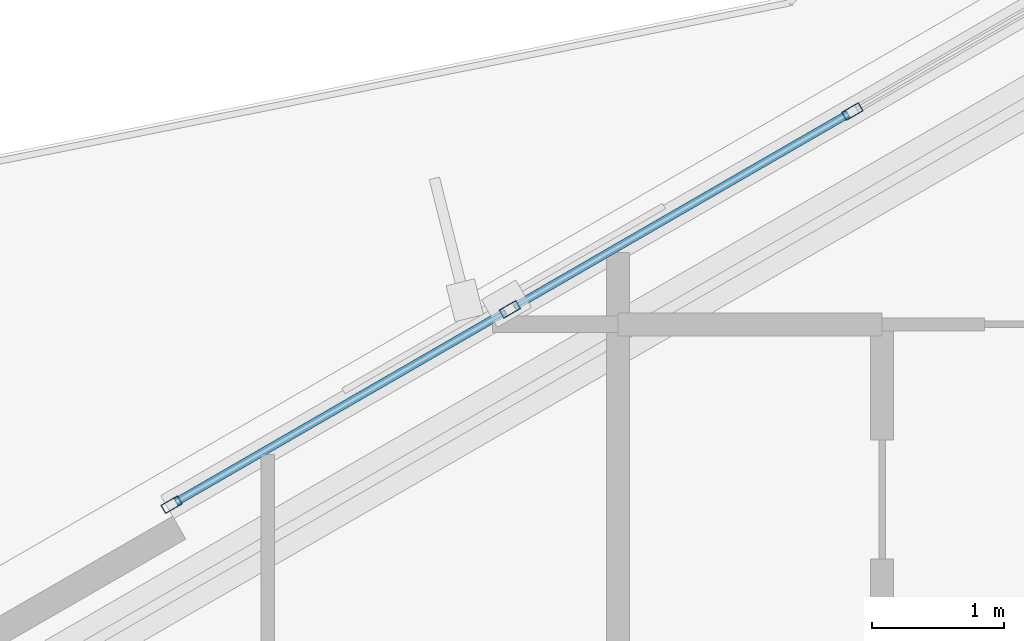
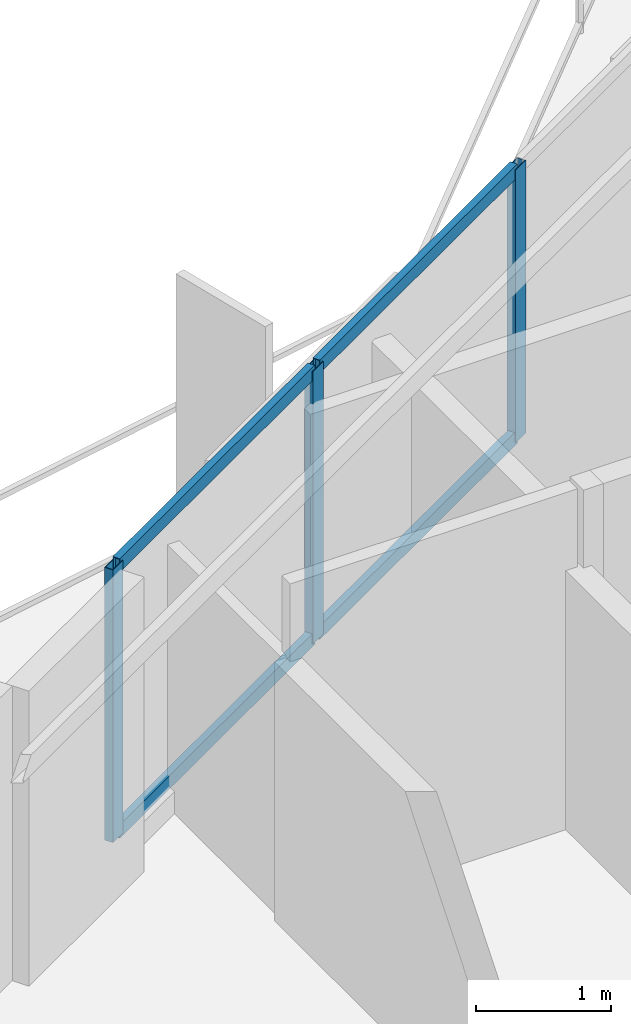
# One storey, part 7 of 19: 7 members, 1 element without a shape of its own.
"""IFC4 building model written with IfcOpenShell, lengths in metres."""

from ifc_helpers import new_model, si_unit, direction, frame, origin, origin_2d, place, context, subcontext, project, spatial, hollow_rectangle, extrude, material, layer, layer_set, material_profile, profile_set, type_object, element, aggregate, save


model = new_model("IFC4")

# Units and contexts
model_context = context("Model", 3, precision=1e-05, world=origin(), true_north=direction((0.0, 1.0)))
body_context = subcontext(model_context, "Body", "Model", "MODEL_VIEW")
ifc_project = project(units=[si_unit("LENGTHUNIT", "METRE"), si_unit("AREAUNIT", "SQUARE_METRE"), si_unit("VOLUMEUNIT", "CUBIC_METRE"), si_unit("PLANEANGLEUNIT", "RADIAN"), si_unit("MASSUNIT", "GRAM", prefix="KILO")], contexts=[model_context])

# Site, building, storey
site_placement = place(None, origin())
site = spatial("IfcSite", under=ifc_project, at=site_placement, CompositionType="ELEMENT")
building_placement = place(site_placement, origin())
building = spatial("IfcBuilding", under=site, at=building_placement, Name="Mersakhor Tower and Convention Hall", CompositionType="ELEMENT")
storey_placement = place(building_placement, frame((0.0, 0.0, 45.60009765625)))
storey = spatial("IfcBuildingStorey", under=building, at=storey_placement, Name="L12", CompositionType="ELEMENT", Elevation=45.60009765625)

# Curtain wall, members
ifc_material_1 = material(Name="Dark solar low-E aluminium curtain wall", Category="aluminium")
ifc_layer = layer(ifc_material_1, 0.159912109375)
ifc_layer_set = layer_set([ifc_layer], Name="Dark solar low-E aluminium curtain wall")
curtain_wall_type = type_object("IfcCurtainWallType", Name="CW-SYS-01", PredefinedType="USERDEFINED", material=ifc_layer_set)
curtain_wall_placement = place(storey_placement, origin())
curtain_wall = element("IfcCurtainWall", 1, at=curtain_wall_placement, inside=storey, type_object=curtain_wall_type, Name="L12 Dark-Glass Curtain Wall F1-B2", ObjectType="CURTAIN WALL", PredefinedType="USERDEFINED")
ifc_material_2 = material(Name="Anodised aluminium EN AW-6063 T6", Category="aluminium")
ifc_material_profile_1 = material_profile(ifc_material_2, hollow_rectangle(XDim=0.074951171875, YDim=0.14990234375, WallThickness=0.00634765625, at=origin_2d()), Name="RHS 150x75x6.3")
ifc_profile_set_1 = profile_set([ifc_material_profile_1], Name="Anodised aluminium EN AW-6063 T6")
member_type_1 = type_object("IfcMemberType", Name="CWM-150x75", PredefinedType="MULLION", material=ifc_profile_set_1)
member_1_placement = place(storey_placement, frame((16.423095703125, 36.635986328125, 0.199951171875), z_axis=(0.0, 0.0, 1.0), x_axis=(-0.50000344889, 0.866023412558, 0.0)))
member_1 = element("IfcMember", 2, at=member_1_placement, type_object=member_type_1, Name="CW-01 mullion 1", PredefinedType="MULLION", context=body_context, shape_type="SweptSolid", body=[
    extrude(hollow_rectangle(XDim=0.074951171875, YDim=0.14990234375, WallThickness=0.00634765625, at=origin_2d()), origin(), (0.0, 0.0, 1.0), 2.4599609375),
])
member_2_placement = place(storey_placement, frame((18.982666015625, 38.11376953125, 0.199951171875), z_axis=(0.0, 0.0, 1.0), x_axis=(-0.50000344889, 0.866023412558, 0.0)))
member_2 = element("IfcMember", 3, at=member_2_placement, type_object=member_type_1, Name="CW-01 mullion 2", PredefinedType="MULLION", context=body_context, shape_type="SweptSolid", body=[
    extrude(hollow_rectangle(XDim=0.074951171875, YDim=0.14990234375, WallThickness=0.00634765625, at=origin_2d()), origin(), (0.0, 0.0, 1.0), 2.4599609375),
])
member_3_placement = place(storey_placement, frame((21.574951171875, 39.610595703125, 0.199951171875), z_axis=(0.0, 0.0, 1.0), x_axis=(-0.50000344889, 0.866023412558, 0.0)))
member_3 = element("IfcMember", 4, at=member_3_placement, type_object=member_type_1, Name="CW-01 mullion 3", PredefinedType="MULLION", context=body_context, shape_type="SweptSolid", body=[
    extrude(hollow_rectangle(XDim=0.074951171875, YDim=0.14990234375, WallThickness=0.00634765625, at=origin_2d()), origin(), (0.0, 0.0, 1.0), 2.4599609375),
])
ifc_material_3 = material(Name="Anodised aluminium EN AW-6063 T6", Category="aluminium")
ifc_material_profile_2 = material_profile(ifc_material_3, hollow_rectangle(XDim=0.06005859375, YDim=0.1201171875, WallThickness=0.0048828125, at=origin_2d()), Name="RHS 120x60x5")
ifc_profile_set_2 = profile_set([ifc_material_profile_2], Name="Anodised aluminium EN AW-6063 T6")
member_type_2 = type_object("IfcMemberType", Name="CWT-120x60", PredefinedType="USERDEFINED", material=ifc_profile_set_2)
member_4_placement = place(storey_placement, frame((16.45556640625, 36.65478515625, 0.22998046875), z_axis=(0.866002100865, 0.500040359669, 0.0), x_axis=(-0.500040359669, 0.866002100865, 0.0)))
member_4 = element("IfcMember", 5, at=member_4_placement, type_object=member_type_2, Name="CW-01 transom 1.1", ObjectType="TRANSOM", PredefinedType="USERDEFINED", context=body_context, shape_type="SweptSolid", body=[
    extrude(hollow_rectangle(XDim=0.06005859375, YDim=0.1201171875, WallThickness=0.0048828125, at=origin_2d()), origin(), (0.0, 0.0, 1.0), 2.880615234375),
])
member_5_placement = place(storey_placement, frame((16.45556640625, 36.65478515625, 2.6298828125), z_axis=(0.866002100865, 0.500040359669, 0.0), x_axis=(-0.500040359669, 0.866002100865, 0.0)))
member_5 = element("IfcMember", 6, at=member_5_placement, type_object=member_type_2, Name="CW-01 transom 1.2", ObjectType="TRANSOM", PredefinedType="USERDEFINED", context=body_context, shape_type="SweptSolid", body=[
    extrude(hollow_rectangle(XDim=0.06005859375, YDim=0.1201171875, WallThickness=0.0048828125, at=origin_2d()), origin(), (0.0, 0.0, 1.0), 2.880615234375),
])
member_6_placement = place(storey_placement, frame((19.01513671875, 38.132568359375, 0.22998046875), z_axis=(0.866015622527, 0.500016941252, 0.0), x_axis=(-0.500016941252, 0.866015622527, 0.0)))
member_6 = element("IfcMember", 7, at=member_6_placement, type_object=member_type_2, Name="CW-01 transom 2.1", ObjectType="TRANSOM", PredefinedType="USERDEFINED", context=body_context, shape_type="SweptSolid", body=[
    extrude(hollow_rectangle(XDim=0.06005859375, YDim=0.1201171875, WallThickness=0.0048828125, at=origin_2d()), origin(), (0.0, 0.0, 1.0), 2.91845703125),
])
member_7_placement = place(storey_placement, frame((19.01513671875, 38.132568359375, 2.6298828125), z_axis=(0.866015622527, 0.500016941252, 0.0), x_axis=(-0.500016941252, 0.866015622527, 0.0)))
member_7 = element("IfcMember", 8, at=member_7_placement, type_object=member_type_2, Name="CW-01 transom 2.2", ObjectType="TRANSOM", PredefinedType="USERDEFINED", context=body_context, shape_type="SweptSolid", body=[
    extrude(hollow_rectangle(XDim=0.06005859375, YDim=0.1201171875, WallThickness=0.0048828125, at=origin_2d()), origin(), (0.0, 0.0, 1.0), 2.91845703125),
])
aggregate(curtain_wall, [member_1, member_2, member_3, member_4, member_5, member_6, member_7])

save(model, "model.ifc")
